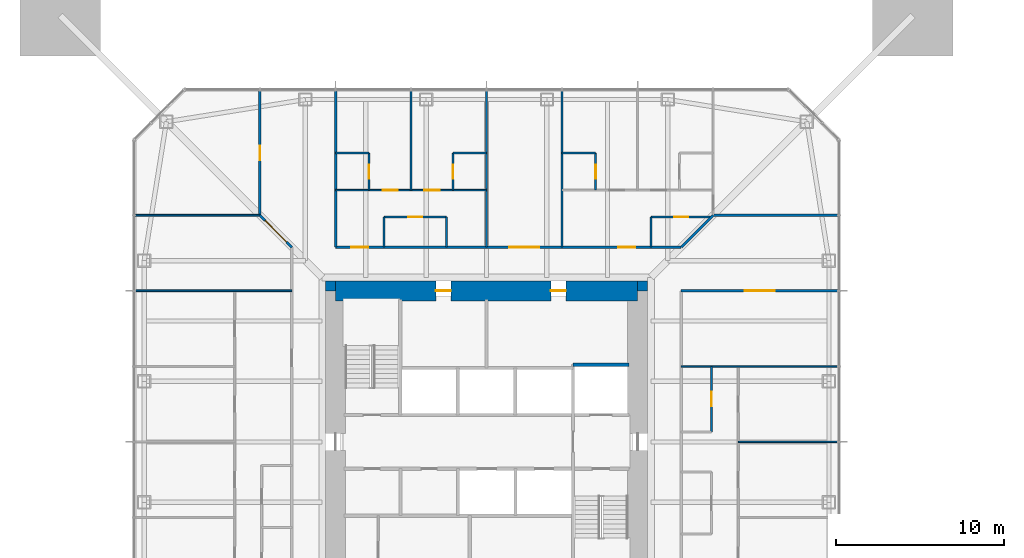
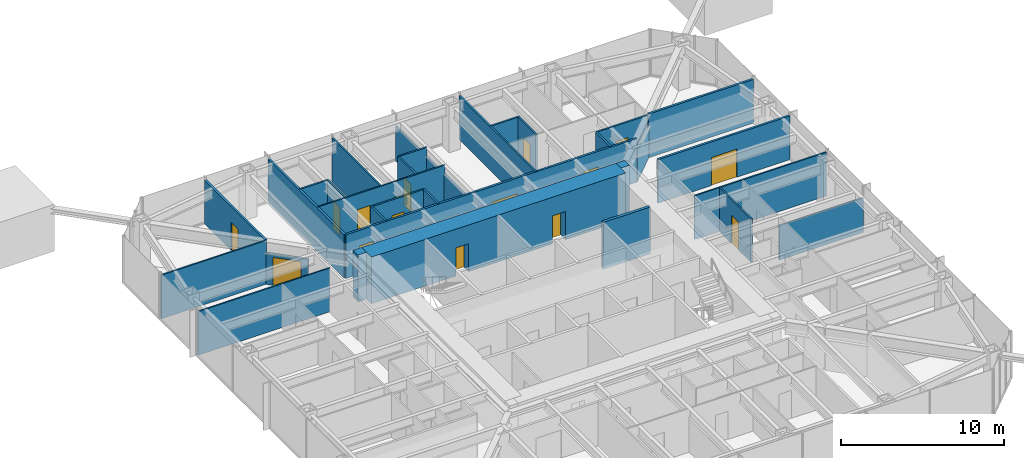
# One storey, part 15 of 25: 31 walls, 16 doors, 16 openings.
"""IFC4 building model written with IfcOpenShell, lengths in metres."""

from ifc_helpers import new_model, si_unit, direction, frame, frame_2d, origin, place, context, subcontext, project, spatial, rectangle, extrude, material, layer, layer_set, type_object, element, fill, save


model = new_model("IFC4")

# Units and contexts
model_context = context("Model", 3, precision=1e-05, world=origin(), true_north=direction((0.0, 1.0)))
body_context = subcontext(model_context, "Body", "Model", "MODEL_VIEW")
ifc_project = project(units=[si_unit("LENGTHUNIT", "METRE"), si_unit("AREAUNIT", "SQUARE_METRE"), si_unit("VOLUMEUNIT", "CUBIC_METRE"), si_unit("PLANEANGLEUNIT", "RADIAN"), si_unit("MASSUNIT", "GRAM", prefix="KILO")], contexts=[model_context])

# Site, building, storey
site_placement = place(None, origin())
site = spatial("IfcSite", under=ifc_project, at=site_placement, CompositionType="ELEMENT")
building_placement = place(site_placement, origin())
building = spatial("IfcBuilding", under=site, at=building_placement, Name="Iwan Alto Co-Living Towers", CompositionType="ELEMENT")
storey_placement = place(building_placement, frame((0.0, 0.0, 112.0)))
storey = spatial("IfcBuildingStorey", under=building, at=storey_placement, Name="L30", CompositionType="ELEMENT", Elevation=112.0)

# Wall, opening, door
ifc_material_1 = material(Name="Gypsum board")
ifc_layer_1 = layer(ifc_material_1, 0.02490234375, Name="Board", Category="Finish")
ifc_material_2 = material(Name="Steel ASTM A1003 ST33H cold-formed studs", Category="steel")
ifc_layer_2 = layer(ifc_material_2, 0.10009765625, Name="Studs", Category="Framing")
ifc_layer_3 = layer(ifc_material_1, 0.02490234375, Name="Board", Category="Finish")
ifc_layer_set_1 = layer_set([ifc_layer_1, ifc_layer_2, ifc_layer_3], Name="CORRIDOR WALL 150")
wall_type_1 = type_object("IfcWallType", Name="CORRIDOR WALL 150", PredefinedType="PARTITIONING", material=ifc_layer_set_1)
wall_1_placement = place(storey_placement, frame((11.60009765625, 9.0, 0.0), z_axis=(0.0, 0.0, 1.0), x_axis=(1.0, 0.0, 0.0)))
wall_1 = element("IfcWall", 1, at=wall_1_placement, inside=storey, type_object=wall_type_1, Name="Partition L30", PredefinedType="PARTITIONING", context=body_context, shape_type="SweptSolid", body=[
    extrude(rectangle(XDim=9.33984375, YDim=0.14990234375, at=frame_2d((4.669921875, 0.0))), origin(), (0.0, 0.0, 1.0), 3.27001953125),
])
opening_1_placement = place(wall_1_placement, frame((3.77001953125, 0.0, 0.0)))
opening_1 = element("IfcOpeningElement", 2, at=opening_1_placement, cuts=wall_1, Name="Opening D9", PredefinedType="OPENING", context=body_context, shape_type="SweptSolid", body=[
    extrude(rectangle(XDim=1.800048828125, YDim=2.10009765625, at=frame_2d((0.89990234375, 1.050048828125))), frame((0.0, 0.0849609375, 0.0), z_axis=(0.0, -1.0, 0.0), x_axis=(1.0, 0.0, 0.0)), (0.0, 0.0, 1.0), 0.169921875),
])
ifc_material_3 = material(Name="Steel frame with timber leaf", Category="steel")
door_type_1 = type_object("IfcDoorType", Name="LOUNGE DOOR FD30S 1800X2100", OperationType="DOUBLE_DOOR_SINGLE_SWING", PredefinedType="DOOR", material=ifc_material_3)
door_1_placement = place(opening_1_placement, frame((1.800048828125, 0.0, 0.0), z_axis=(0.0, 0.0, 1.0), x_axis=(-1.0, 0.0, 0.0)))
door_1 = element("IfcDoor", 3, at=door_1_placement, inside=storey, type_object=door_type_1, Name="Games room door L30", OperationType="DOUBLE_DOOR_SINGLE_SWING", OverallHeight=2.10009765625, OverallWidth=1.800048828125, PredefinedType="DOOR", context=body_context, shape_type="SweptSolid", body=[
    extrude(rectangle(XDim=1.800048828125, YDim=2.10009765625, at=frame_2d((0.89990234375, 1.050048828125))), frame((0.0, 0.02490234375, 0.0), z_axis=(0.0, -1.0, 0.0), x_axis=(1.0, 0.0, 0.0)), (0.0, 0.0, 1.0), 0.050048828125),
])
fill(opening_1, door_1)

# Wall, openings, doors
wall_2_placement = place(storey_placement, frame((-9.0, 11.60009765625, 0.0), z_axis=(0.0, 0.0, 1.0), x_axis=(1.0, 0.0, 0.0)))
wall_2 = element("IfcWall", 4, at=wall_2_placement, inside=storey, type_object=wall_type_1, Name="Partition L30", PredefinedType="PARTITIONING", context=body_context, shape_type="SweptSolid", body=[
    extrude(rectangle(XDim=20.60009765625, YDim=0.14990234375, at=frame_2d((10.300048828125, 0.0))), origin(), (0.0, 0.0, 1.0), 3.27001953125),
])
opening_2_placement = place(wall_2_placement, frame((16.85009765625, 0.0, 0.0)))
opening_2 = element("IfcOpeningElement", 5, at=opening_2_placement, cuts=wall_2, Name="Opening D3", PredefinedType="OPENING", context=body_context, shape_type="SweptSolid", body=[
    extrude(rectangle(XDim=1.0, YDim=2.10009765625, at=frame_2d((0.5, 1.050048828125))), frame((0.0, 0.0849609375, 0.0), z_axis=(0.0, -1.0, 0.0), x_axis=(1.0, 0.0, 0.0)), (0.0, 0.0, 1.0), 0.169921875),
])
opening_3_placement = place(wall_2_placement, frame((10.35009765625, 0.0, 0.0)))
opening_3 = element("IfcOpeningElement", 6, at=opening_3_placement, cuts=wall_2, Name="Opening D9", PredefinedType="OPENING", context=body_context, shape_type="SweptSolid", body=[
    extrude(rectangle(XDim=1.800048828125, YDim=2.10009765625, at=frame_2d((0.89990234375, 1.050048828125))), frame((0.0, 0.0849609375, 0.0), z_axis=(0.0, -1.0, 0.0), x_axis=(1.0, 0.0, 0.0)), (0.0, 0.0, 1.0), 0.169921875),
])
opening_4_placement = place(wall_2_placement, frame((0.949951171875, 0.0, 0.0)))
opening_4 = element("IfcOpeningElement", 7, at=opening_4_placement, cuts=wall_2, Name="Opening D3", PredefinedType="OPENING", context=body_context, shape_type="SweptSolid", body=[
    extrude(rectangle(XDim=1.0, YDim=2.10009765625, at=frame_2d((0.5, 1.050048828125))), frame((0.0, 0.0849609375, 0.0), z_axis=(0.0, -1.0, 0.0), x_axis=(1.0, 0.0, 0.0)), (0.0, 0.0, 1.0), 0.169921875),
])
ifc_material_4 = material(Name="Steel frame with timber leaf", Category="steel")
door_type_2 = type_object("IfcDoorType", Name="FLAT ENTRANCE DOOR FD30S 1000X2100", OperationType="SINGLE_SWING_LEFT", PredefinedType="DOOR", material=ifc_material_4)
door_2_placement = place(opening_2_placement, origin())
door_2 = element("IfcDoor", 8, at=door_2_placement, inside=storey, type_object=door_type_2, Name="Cluster lounge door L30", OperationType="SINGLE_SWING_RIGHT", OverallHeight=2.10009765625, OverallWidth=1.0, PredefinedType="DOOR", context=body_context, shape_type="SweptSolid", body=[
    extrude(rectangle(XDim=1.0, YDim=2.10009765625, at=frame_2d((0.5, 1.050048828125))), frame((0.0, 0.02490234375, 0.0), z_axis=(0.0, -1.0, 0.0), x_axis=(1.0, 0.0, 0.0)), (0.0, 0.0, 1.0), 0.050048828125),
])
fill(opening_2, door_2)
door_3_placement = place(opening_4_placement, origin())
door_3 = element("IfcDoor", 9, at=door_3_placement, inside=storey, type_object=door_type_2, Name="Cluster lounge and shared kitchen door L30", OperationType="SINGLE_SWING_LEFT", OverallHeight=2.10009765625, OverallWidth=1.0, PredefinedType="DOOR", context=body_context, shape_type="SweptSolid", body=[
    extrude(rectangle(XDim=1.0, YDim=2.10009765625, at=frame_2d((0.5, 1.050048828125))), frame((0.0, 0.02490234375, 0.0), z_axis=(0.0, -1.0, 0.0), x_axis=(1.0, 0.0, 0.0)), (0.0, 0.0, 1.0), 0.050048828125),
])
fill(opening_4, door_3)
door_4_placement = place(opening_3_placement, origin())
door_4 = element("IfcDoor", 10, at=door_4_placement, inside=storey, type_object=door_type_1, Name="Reading room door L30", OperationType="DOUBLE_DOOR_SINGLE_SWING", OverallHeight=2.10009765625, OverallWidth=1.800048828125, PredefinedType="DOOR", context=body_context, shape_type="SweptSolid", body=[
    extrude(rectangle(XDim=1.800048828125, YDim=2.10009765625, at=frame_2d((0.89990234375, 1.050048828125))), frame((0.0, 0.02490234375, 0.0), z_axis=(0.0, -1.0, 0.0), x_axis=(1.0, 0.0, 0.0)), (0.0, 0.0, 1.0), 0.050048828125),
])
fill(opening_3, door_4)

# Walls
wall_3_placement = place(storey_placement, frame((13.5, 13.5, 0.0), z_axis=(0.0, 0.0, 1.0), x_axis=(1.0, 0.0, 0.0)))
element("IfcWall", 11, at=wall_3_placement, inside=storey, type_object=wall_type_1, Name="Partition L30", PredefinedType="PARTITIONING", context=body_context, shape_type="SweptSolid", body=[
    extrude(rectangle(XDim=7.43994140625, YDim=0.14990234375, at=frame_2d((3.719970703125, 0.0))), origin(), (0.0, 0.0, 1.0), 3.27001953125),
])
wall_4_placement = place(storey_placement, frame((11.60009765625, 11.60009765625, 0.0), z_axis=(0.0, 0.0, 1.0), x_axis=(0.707106781187, 0.707106781187, 0.0)))
element("IfcWall", 12, at=wall_4_placement, inside=storey, type_object=wall_type_1, Name="Partition L30", PredefinedType="PARTITIONING", context=body_context, shape_type="SweptSolid", body=[
    extrude(rectangle(XDim=2.686767578125, YDim=0.14990234375, at=frame_2d((1.34326171875, 0.0))), origin(), (0.0, 0.0, 1.0), 2.343017578125),
])
wall_5_placement = place(storey_placement, frame((-9.0, 11.60009765625, 0.0), z_axis=(0.0, 0.0, 1.0), x_axis=(0.0, 1.0, 0.0)))
element("IfcWall", 13, at=wall_5_placement, inside=storey, type_object=wall_type_1, Name="Partition L30", PredefinedType="PARTITIONING", context=body_context, shape_type="SweptSolid", body=[
    extrude(rectangle(XDim=9.33984375, YDim=0.14990234375, at=frame_2d((4.669921875, 0.0))), origin(), (0.0, 0.0, 1.0), 3.27001953125),
])

# Wall, opening, door
wall_6_placement = place(storey_placement, frame((-13.5, 13.5, 0.0), z_axis=(0.0, 0.0, 1.0), x_axis=(0.0, 1.0, 0.0)))
wall_6 = element("IfcWall", 14, at=wall_6_placement, inside=storey, type_object=wall_type_1, Name="Partition L30", PredefinedType="PARTITIONING", context=body_context, shape_type="SweptSolid", body=[
    extrude(rectangle(XDim=7.43994140625, YDim=0.14990234375, at=frame_2d((3.719970703125, 0.0))), origin(), (0.0, 0.0, 1.0), 3.27001953125),
])
opening_5_placement = place(wall_6_placement, frame((3.294921875, 0.0, 0.0)))
opening_5 = element("IfcOpeningElement", 15, at=opening_5_placement, cuts=wall_6, Name="Opening D2", PredefinedType="OPENING", context=body_context, shape_type="SweptSolid", body=[
    extrude(rectangle(XDim=0.85009765625, YDim=2.10009765625, at=frame_2d((0.425048828125, 1.050048828125))), frame((0.0, 0.0849609375, 0.0), z_axis=(0.0, -1.0, 0.0), x_axis=(1.0, 0.0, 0.0)), (0.0, 0.0, 1.0), 0.169921875),
])
ifc_material_5 = material(Name="Timber leaf in steel frame", Category="steel")
door_type_3 = type_object("IfcDoorType", Name="ROOM DOOR 850X2100", OperationType="SINGLE_SWING_LEFT", PredefinedType="DOOR", material=ifc_material_5)
door_5_placement = place(opening_5_placement, origin())
door_5 = element("IfcDoor", 16, at=door_5_placement, inside=storey, type_object=door_type_3, Name="Shared kitchen and lounge door L30", OperationType="SINGLE_SWING_LEFT", OverallHeight=2.10009765625, OverallWidth=0.85009765625, PredefinedType="DOOR", context=body_context, shape_type="SweptSolid", body=[
    extrude(rectangle(XDim=0.85009765625, YDim=2.10009765625, at=frame_2d((0.425048828125, 1.050048828125))), frame((0.0, 0.02490234375, 0.0), z_axis=(0.0, -1.0, 0.0), x_axis=(1.0, 0.0, 0.0)), (0.0, 0.0, 1.0), 0.050048828125),
])
fill(opening_5, door_5)

wall_7_placement = place(storey_placement, frame((-11.60009765625, 11.60009765625, 0.0), z_axis=(0.0, 0.0, 1.0), x_axis=(-0.707106781187, 0.707106781187, 0.0)))
wall_7 = element("IfcWall", 17, at=wall_7_placement, inside=storey, type_object=wall_type_1, Name="Partition L30", PredefinedType="PARTITIONING", context=body_context, shape_type="SweptSolid", body=[
    extrude(rectangle(XDim=2.686767578125, YDim=0.14990234375, at=frame_2d((1.34326171875, 0.0))), origin(), (0.0, 0.0, 1.0), 2.343017578125),
])
opening_6_placement = place(wall_7_placement, frame((0.444091796875, 0.0, 0.0)))
opening_6 = element("IfcOpeningElement", 18, at=opening_6_placement, cuts=wall_7, Name="Opening D9", PredefinedType="OPENING", context=body_context, shape_type="SweptSolid", body=[
    extrude(rectangle(XDim=1.800048828125, YDim=2.10009765625, at=frame_2d((0.89990234375, 1.050048828125))), frame((0.0, 0.0849609375, 0.0), z_axis=(0.0, -1.0, 0.0), x_axis=(1.0, 0.0, 0.0)), (0.0, 0.0, 1.0), 0.169921875),
])
door_6_placement = place(opening_6_placement, origin())
door_6 = element("IfcDoor", 19, at=door_6_placement, inside=storey, type_object=door_type_1, Name="Music practice room door L30", OperationType="DOUBLE_DOOR_SINGLE_SWING", OverallHeight=2.10009765625, OverallWidth=1.800048828125, PredefinedType="DOOR", context=body_context, shape_type="SweptSolid", body=[
    extrude(rectangle(XDim=1.800048828125, YDim=2.10009765625, at=frame_2d((0.89990234375, 1.050048828125))), frame((0.0, 0.02490234375, 0.0), z_axis=(0.0, -1.0, 0.0), x_axis=(1.0, 0.0, 0.0)), (0.0, 0.0, 1.0), 0.050048828125),
])
fill(opening_6, door_6)

# Walls
ifc_layer_4 = layer(ifc_material_1, 0.012451171875, Name="Board", Category="Finish")
ifc_layer_5 = layer(ifc_material_2, 0.074951171875, Name="Studs", Category="Framing")
ifc_layer_6 = layer(ifc_material_1, 0.012451171875, Name="Board", Category="Finish")
ifc_layer_set_2 = layer_set([ifc_layer_4, ifc_layer_5, ifc_layer_6], Name="PARTITION 100")
wall_type_2 = type_object("IfcWallType", Name="PARTITION 100", PredefinedType="PARTITIONING", material=ifc_layer_set_2)
wall_8_placement = place(storey_placement, frame((15.0, 0.0, 0.0), z_axis=(0.0, 0.0, 1.0), x_axis=(1.0, 0.0, 0.0)))
element("IfcWall", 20, at=wall_8_placement, inside=storey, type_object=wall_type_2, Name="Partition L30", PredefinedType="PARTITIONING", context=body_context, shape_type="SweptSolid", body=[
    extrude(rectangle(XDim=5.93994140625, YDim=0.10009765625, at=frame_2d((2.969970703125, 0.0))), origin(), (0.0, 0.0, 1.0), 2.586669921875),
])
for number, where, z_axis, x_axis, name in (
    (21, (11.60009765625, 4.5, 0.0), (0.0, 0.0, 1.0), (1.0, 0.0, 0.0), "Partition L30"),
    (22, (-20.93994140625, 9.0, 0.0), (0.0, 0.0, 1.0), (1.0, 0.0, 0.0), "Partition L30"),
):
    element("IfcWall", number, at=place(storey_placement, frame(where, z_axis=z_axis, x_axis=x_axis)), inside=storey, type_object=wall_type_2, Name=name, PredefinedType="PARTITIONING", context=body_context, shape_type="SweptSolid", body=[
        extrude(rectangle(XDim=9.33984375, YDim=0.10009765625, at=frame_2d((4.669921875, 0.0))), origin(), (0.0, 0.0, 1.0), 3.27001953125),
    ])
wall_9_placement = place(storey_placement, frame((-20.93994140625, 13.5, 0.0), z_axis=(0.0, 0.0, 1.0), x_axis=(1.0, 0.0, 0.0)))
element("IfcWall", 23, at=wall_9_placement, inside=storey, type_object=wall_type_2, Name="Partition L30", PredefinedType="PARTITIONING", context=body_context, shape_type="SweptSolid", body=[
    extrude(rectangle(XDim=7.43994140625, YDim=0.10009765625, at=frame_2d((3.719970703125, 0.0))), origin(), (0.0, 0.0, 1.0), 3.27001953125),
])

# Wall, openings, doors
wall_10_placement = place(storey_placement, frame((-9.0, 15.0, 0.0), z_axis=(0.0, 0.0, 1.0), x_axis=(1.0, 0.0, 0.0)))
wall_10 = element("IfcWall", 24, at=wall_10_placement, inside=storey, type_object=wall_type_2, Name="Partition L30", PredefinedType="PARTITIONING", context=body_context, shape_type="SweptSolid", body=[
    extrude(rectangle(XDim=9.0, YDim=0.10009765625, at=frame_2d((4.5, 0.0))), origin(), (0.0, 0.0, 1.0), 3.27001953125),
])
opening_7_placement = place(wall_10_placement, frame((5.300048828125, 0.0, 0.0)))
opening_7 = element("IfcOpeningElement", 25, at=opening_7_placement, cuts=wall_10, Name="Opening D1", PredefinedType="OPENING", context=body_context, shape_type="SweptSolid", body=[
    extrude(rectangle(XDim=0.89990234375, YDim=2.10009765625, at=frame_2d((0.449951171875, 1.050048828125))), frame((0.0, 0.06005859375, 0.0), z_axis=(0.0, -1.0, 0.0), x_axis=(1.0, 0.0, 0.0)), (0.0, 0.0, 1.0), 0.1201171875),
])
opening_8_placement = place(wall_10_placement, frame((2.800048828125, 0.0, 0.0)))
opening_8 = element("IfcOpeningElement", 26, at=opening_8_placement, cuts=wall_10, Name="Opening D1", PredefinedType="OPENING", context=body_context, shape_type="SweptSolid", body=[
    extrude(rectangle(XDim=0.89990234375, YDim=2.10009765625, at=frame_2d((0.449951171875, 1.050048828125))), frame((0.0, 0.06005859375, 0.0), z_axis=(0.0, -1.0, 0.0), x_axis=(1.0, 0.0, 0.0)), (0.0, 0.0, 1.0), 0.1201171875),
])
ifc_material_6 = material(Name="Timber leaf in steel frame", Category="steel")
door_type_4 = type_object("IfcDoorType", Name="BEDROOM DOOR 900X2100", OperationType="SINGLE_SWING_LEFT", PredefinedType="DOOR", material=ifc_material_6)
door_7_placement = place(opening_7_placement, frame((0.89990234375, 0.0, 0.0), z_axis=(0.0, 0.0, 1.0), x_axis=(-1.0, 0.0, 0.0)))
door_7 = element("IfcDoor", 27, at=door_7_placement, inside=storey, type_object=door_type_4, Name="Study bedroom door L30", OperationType="SINGLE_SWING_LEFT", OverallHeight=2.10009765625, OverallWidth=0.89990234375, PredefinedType="DOOR", context=body_context, shape_type="SweptSolid", body=[
    extrude(rectangle(XDim=0.89990234375, YDim=2.10009765625, at=frame_2d((0.449951171875, 1.050048828125))), frame((0.0, 0.02490234375, 0.0), z_axis=(0.0, -1.0, 0.0), x_axis=(1.0, 0.0, 0.0)), (0.0, 0.0, 1.0), 0.050048828125),
])
fill(opening_7, door_7)
door_8_placement = place(opening_8_placement, frame((0.89990234375, 0.0, 0.0), z_axis=(0.0, 0.0, 1.0), x_axis=(-1.0, 0.0, 0.0)))
door_8 = element("IfcDoor", 28, at=door_8_placement, inside=storey, type_object=door_type_4, Name="Study bedroom door L30", OperationType="SINGLE_SWING_RIGHT", OverallHeight=2.10009765625, OverallWidth=0.89990234375, PredefinedType="DOOR", context=body_context, shape_type="SweptSolid", body=[
    extrude(rectangle(XDim=0.89990234375, YDim=2.10009765625, at=frame_2d((0.449951171875, 1.050048828125))), frame((0.0, 0.02490234375, 0.0), z_axis=(0.0, -1.0, 0.0), x_axis=(1.0, 0.0, 0.0)), (0.0, 0.0, 1.0), 0.050048828125),
])
fill(opening_8, door_8)

# Walls
wall_11_placement = place(storey_placement, frame((-4.5, 15.0, 0.0), z_axis=(0.0, 0.0, 1.0), x_axis=(0.0, 1.0, 0.0)))
element("IfcWall", 29, at=wall_11_placement, inside=storey, type_object=wall_type_2, Name="Partition L30", PredefinedType="PARTITIONING", context=body_context, shape_type="SweptSolid", body=[
    extrude(rectangle(XDim=5.93994140625, YDim=0.10009765625, at=frame_2d((2.969970703125, 0.0))), origin(), (0.0, 0.0, 1.0), 3.27001953125),
])
ifc_material_7 = material(Name="Concrete f'c 70 MPa", Category="concrete")
ifc_layer_7 = layer(ifc_material_7, 0.199951171875)
ifc_layer_set_3 = layer_set([ifc_layer_7], Name="SHAFT WALL 200")
wall_type_3 = type_object("IfcWallType", Name="SHAFT WALL 200", PredefinedType="SOLIDWALL", material=ifc_layer_set_3)
wall_12_placement = place(storey_placement, frame((5.14990234375, 4.60009765625, 0.0), z_axis=(0.0, 0.0, 1.0), x_axis=(1.0, 0.0, 0.0)))
element("IfcWall", 30, at=wall_12_placement, inside=storey, type_object=wall_type_3, Name="Shaft wall L30", PredefinedType="SOLIDWALL", context=body_context, shape_type="SweptSolid", body=[
    extrude(rectangle(XDim=3.340087890625, YDim=0.199951171875, at=frame_2d((1.669921875, 0.0))), origin(), (0.0, 0.0, 1.0), 3.5),
])
ifc_material_8 = material(Name="Concrete f'c 70 MPa", Category="concrete")
ifc_layer_8 = layer(ifc_material_8, 0.60009765625)
ifc_layer_set_4 = layer_set([ifc_layer_8], Name="T1 CORE CORNER FILL 600")
wall_type_4 = type_object("IfcWallType", Name="T1 CORE CORNER FILL 600", PredefinedType="SOLIDWALL", material=ifc_layer_set_4)
for number, where, z_axis, x_axis, name in (
    (31, (9.0, 9.300048828125, 0.0), (0.0, 0.0, 1.0), (1.0, 0.0, 0.0), "T1 core corner NE L30"),
    (32, (-9.60009765625, 9.300048828125, 0.0), (0.0, 0.0, 1.0), (1.0, 0.0, 0.0), "T1 core corner NW L30"),
):
    element("IfcWall", number, at=place(storey_placement, frame(where, z_axis=z_axis, x_axis=x_axis)), inside=storey, type_object=wall_type_4, Name=name, PredefinedType="SOLIDWALL", context=body_context, shape_type="SweptSolid", body=[
        extrude(rectangle(XDim=0.60009765625, YDim=0.60009765625, at=frame_2d((0.300048828125, 0.0))), origin(), (0.0, 0.0, 1.0), 3.5),
    ])

# Wall, openings, doors
ifc_material_9 = material(Name="Concrete f'c 70 MPa", Category="concrete")
ifc_layer_9 = layer(ifc_material_9, 1.199951171875)
ifc_layer_set_5 = layer_set([ifc_layer_9], Name="T1 CORE WALL 1200")
wall_type_5 = type_object("IfcWallType", Name="T1 CORE WALL 1200", PredefinedType="SHEAR", material=ifc_layer_set_5)
wall_13_placement = place(storey_placement, frame((9.0, 9.0, 0.0), z_axis=(0.0, 0.0, 1.0), x_axis=(-1.0, 0.0, 0.0)))
wall_13 = element("IfcWall", 33, at=wall_13_placement, inside=storey, type_object=wall_type_5, Name="T1 core wall N L30", PredefinedType="SHEAR", context=body_context, shape_type="SweptSolid", body=[
    extrude(rectangle(XDim=18.0, YDim=1.199951171875, at=frame_2d((9.0, 0.0))), origin(), (0.0, 0.0, 1.0), 3.5),
])
opening_9_placement = place(wall_13_placement, frame((11.125, 0.0, 0.0)))
opening_9 = element("IfcOpeningElement", 34, at=opening_9_placement, cuts=wall_13, Name="Opening D8", PredefinedType="OPENING", context=body_context, shape_type="SweptSolid", body=[
    extrude(rectangle(XDim=0.89990234375, YDim=2.10009765625, at=frame_2d((0.449951171875, 1.050048828125))), frame((0.0, 0.60986328125, 0.0), z_axis=(0.0, -1.0, 0.0), x_axis=(1.0, 0.0, 0.0)), (0.0, 0.0, 1.0), 1.219970703125),
])
opening_10_placement = place(wall_13_placement, frame((4.27490234375, 0.0, 0.0)))
opening_10 = element("IfcOpeningElement", 35, at=opening_10_placement, cuts=wall_13, Name="Opening D8", PredefinedType="OPENING", context=body_context, shape_type="SweptSolid", body=[
    extrude(rectangle(XDim=0.89990234375, YDim=2.10009765625, at=frame_2d((0.449951171875, 1.050048828125))), frame((0.0, 0.60986328125, 0.0), z_axis=(0.0, -1.0, 0.0), x_axis=(1.0, 0.0, 0.0)), (0.0, 0.0, 1.0), 1.219970703125),
])
ifc_material_10 = material(Name="Steel frame with timber leaf", Category="steel")
door_type_5 = type_object("IfcDoorType", Name="RISER DOOR FD120 900X2100", OperationType="SINGLE_SWING_LEFT", PredefinedType="DOOR", material=ifc_material_10)
door_9_placement = place(opening_9_placement, origin())
door_9 = element("IfcDoor", 36, at=door_9_placement, inside=storey, type_object=door_type_5, Name="Electrical riser core door L30", OperationType="SINGLE_SWING_RIGHT", OverallHeight=2.10009765625, OverallWidth=0.89990234375, PredefinedType="DOOR", context=body_context, shape_type="SweptSolid", body=[
    extrude(rectangle(XDim=0.89990234375, YDim=2.10009765625, at=frame_2d((0.449951171875, 1.050048828125))), frame((0.0, 0.02490234375, 0.0), z_axis=(0.0, -1.0, 0.0), x_axis=(1.0, 0.0, 0.0)), (0.0, 0.0, 1.0), 0.050048828125),
])
fill(opening_9, door_9)
door_10_placement = place(opening_10_placement, origin())
door_10 = element("IfcDoor", 37, at=door_10_placement, inside=storey, type_object=door_type_5, Name="Water and drainage riser core door L30", OperationType="SINGLE_SWING_RIGHT", OverallHeight=2.10009765625, OverallWidth=0.89990234375, PredefinedType="DOOR", context=body_context, shape_type="SweptSolid", body=[
    extrude(rectangle(XDim=0.89990234375, YDim=2.10009765625, at=frame_2d((0.449951171875, 1.050048828125))), frame((0.0, 0.02490234375, 0.0), z_axis=(0.0, -1.0, 0.0), x_axis=(1.0, 0.0, 0.0)), (0.0, 0.0, 1.0), 0.050048828125),
])
fill(opening_10, door_10)

# Wall, opening, door
ifc_material_11 = material(Name="Cement board")
ifc_layer_10 = layer(ifc_material_11, 0.012451171875, Name="Board", Category="Finish")
ifc_layer_11 = layer(ifc_material_2, 0.094970703125, Name="Studs", Category="Framing")
ifc_layer_12 = layer(ifc_material_11, 0.012451171875, Name="Board", Category="Finish")
ifc_layer_set_6 = layer_set([ifc_layer_10, ifc_layer_11, ifc_layer_12], Name="WET AREA PARTITION 120")
wall_type_6 = type_object("IfcWallType", Name="WET AREA PARTITION 120", PredefinedType="PARTITIONING", material=ifc_layer_set_6)
wall_14_placement = place(storey_placement, frame((-6.10009765625, 13.39990234375, 0.0), z_axis=(0.0, 0.0, 1.0), x_axis=(1.0, 0.0, 0.0)))
wall_14 = element("IfcWall", 38, at=wall_14_placement, inside=storey, type_object=wall_type_6, Name="Partition L30", PredefinedType="PARTITIONING", context=body_context, shape_type="SweptSolid", body=[
    extrude(rectangle(XDim=3.7001953125, YDim=0.1201171875, at=frame_2d((1.85009765625, 0.0))), origin(), (0.0, 0.0, 1.0), 3.27001953125),
])
opening_11_placement = place(wall_14_placement, frame((1.425048828125, 0.0, 0.0)))
opening_11 = element("IfcOpeningElement", 39, at=opening_11_placement, cuts=wall_14, Name="Opening D2", PredefinedType="OPENING", context=body_context, shape_type="SweptSolid", body=[
    extrude(rectangle(XDim=0.85009765625, YDim=2.10009765625, at=frame_2d((0.425048828125, 1.050048828125))), frame((0.0, 0.070068359375, 0.0), z_axis=(0.0, -1.0, 0.0), x_axis=(1.0, 0.0, 0.0)), (0.0, 0.0, 1.0), 0.14013671875),
])
door_11_placement = place(opening_11_placement, origin())
door_11 = element("IfcDoor", 40, at=door_11_placement, inside=storey, type_object=door_type_3, Name="Accessible bathroom door L30", OperationType="SINGLE_SWING_RIGHT", OverallHeight=2.10009765625, OverallWidth=0.85009765625, PredefinedType="DOOR", context=body_context, shape_type="SweptSolid", body=[
    extrude(rectangle(XDim=0.85009765625, YDim=2.10009765625, at=frame_2d((0.425048828125, 1.050048828125))), frame((0.0, 0.02490234375, 0.0), z_axis=(0.0, -1.0, 0.0), x_axis=(1.0, 0.0, 0.0)), (0.0, 0.0, 1.0), 0.050048828125),
])
fill(opening_11, door_11)

wall_15_placement = place(storey_placement, frame((9.800048828125, 13.39990234375, 0.0), z_axis=(0.0, 0.0, 1.0), x_axis=(1.0, 0.0, 0.0)))
wall_15 = element("IfcWall", 41, at=wall_15_placement, inside=storey, type_object=wall_type_6, Name="Partition L30", PredefinedType="PARTITIONING", context=body_context, shape_type="SweptSolid", body=[
    extrude(rectangle(XDim=3.599853515625, YDim=0.1201171875, at=frame_2d((1.7998046875, 0.0))), origin(), (0.0, 0.0, 1.0), 3.27001953125),
])
opening_12_placement = place(wall_15_placement, frame((1.375, 0.0, 0.0)))
opening_12 = element("IfcOpeningElement", 42, at=opening_12_placement, cuts=wall_15, Name="Opening D2", PredefinedType="OPENING", context=body_context, shape_type="SweptSolid", body=[
    extrude(rectangle(XDim=0.85009765625, YDim=2.10009765625, at=frame_2d((0.425048828125, 1.050048828125))), frame((0.0, 0.070068359375, 0.0), z_axis=(0.0, -1.0, 0.0), x_axis=(1.0, 0.0, 0.0)), (0.0, 0.0, 1.0), 0.14013671875),
])
door_12_placement = place(opening_12_placement, origin())
door_12 = element("IfcDoor", 43, at=door_12_placement, inside=storey, type_object=door_type_3, Name="Bathroom door L30", OperationType="SINGLE_SWING_RIGHT", OverallHeight=2.10009765625, OverallWidth=0.85009765625, PredefinedType="DOOR", context=body_context, shape_type="SweptSolid", body=[
    extrude(rectangle(XDim=0.85009765625, YDim=2.10009765625, at=frame_2d((0.425048828125, 1.050048828125))), frame((0.0, 0.02490234375, 0.0), z_axis=(0.0, -1.0, 0.0), x_axis=(1.0, 0.0, 0.0)), (0.0, 0.0, 1.0), 0.050048828125),
])
fill(opening_12, door_12)

# Walls
for number, where, z_axis, x_axis, name in (
    (44, (-9.0, 17.199951171875, 0.0), (0.0, 0.0, 1.0), (1.0, 0.0, 0.0), "Partition L30"),
    (45, (-2.0, 17.199951171875, 0.0), (0.0, 0.0, 1.0), (1.0, 0.0, 0.0), "Partition L30"),
    (46, (4.5, 17.199951171875, 0.0), (0.0, 0.0, 1.0), (1.0, 0.0, 0.0), "Partition L30"),
):
    element("IfcWall", number, at=place(storey_placement, frame(where, z_axis=z_axis, x_axis=x_axis)), inside=storey, type_object=wall_type_6, Name=name, PredefinedType="PARTITIONING", context=body_context, shape_type="SweptSolid", body=[
        extrude(rectangle(XDim=2.0, YDim=0.1201171875, at=frame_2d((1.0, 0.0))), origin(), (0.0, 0.0, 1.0), 3.27001953125),
    ])

# Wall, opening, door
wall_16_placement = place(storey_placement, frame((13.39990234375, 0.60009765625, 0.0), z_axis=(0.0, 0.0, 1.0), x_axis=(0.0, 1.0, 0.0)))
wall_16 = element("IfcWall", 47, at=wall_16_placement, inside=storey, type_object=wall_type_6, Name="Partition L30", PredefinedType="PARTITIONING", context=body_context, shape_type="SweptSolid", body=[
    extrude(rectangle(XDim=3.89990234375, YDim=0.1201171875, at=frame_2d((1.949951171875, 0.0))), origin(), (0.0, 0.0, 1.0), 3.27001953125),
])
opening_13_placement = place(wall_16_placement, frame((1.52490234375, 0.0, 0.0)))
opening_13 = element("IfcOpeningElement", 48, at=opening_13_placement, cuts=wall_16, Name="Opening D2", PredefinedType="OPENING", context=body_context, shape_type="SweptSolid", body=[
    extrude(rectangle(XDim=0.85009765625, YDim=2.10009765625, at=frame_2d((0.425048828125, 1.050048828125))), frame((0.0, 0.070068359375, 0.0), z_axis=(0.0, -1.0, 0.0), x_axis=(1.0, 0.0, 0.0)), (0.0, 0.0, 1.0), 0.14013671875),
])
door_13_placement = place(opening_13_placement, frame((0.85009765625, 0.0, 0.0), z_axis=(0.0, 0.0, 1.0), x_axis=(-1.0, 0.0, 0.0)))
door_13 = element("IfcDoor", 49, at=door_13_placement, inside=storey, type_object=door_type_3, Name="Laundry door L30", OperationType="SINGLE_SWING_LEFT", OverallHeight=2.10009765625, OverallWidth=0.85009765625, PredefinedType="DOOR", context=body_context, shape_type="SweptSolid", body=[
    extrude(rectangle(XDim=0.85009765625, YDim=2.10009765625, at=frame_2d((0.425048828125, 1.050048828125))), frame((0.0, 0.02490234375, 0.0), z_axis=(0.0, -1.0, 0.0), x_axis=(1.0, 0.0, 0.0)), (0.0, 0.0, 1.0), 0.050048828125),
])
fill(opening_13, door_13)

# Wall
wall_17_placement = place(storey_placement, frame((9.800048828125, 11.60009765625, 0.0), z_axis=(0.0, 0.0, 1.0), x_axis=(0.0, 1.0, 0.0)))
element("IfcWall", 50, at=wall_17_placement, inside=storey, type_object=wall_type_6, Name="Partition L30", PredefinedType="PARTITIONING", context=body_context, shape_type="SweptSolid", body=[
    extrude(rectangle(XDim=1.7998046875, YDim=0.1201171875, at=frame_2d((0.89990234375, 0.0))), origin(), (0.0, 0.0, 1.0), 3.27001953125),
])

# Wall, opening, door
wall_18_placement = place(storey_placement, frame((6.5, 15.0, 0.0), z_axis=(0.0, 0.0, 1.0), x_axis=(0.0, 1.0, 0.0)))
wall_18 = element("IfcWall", 51, at=wall_18_placement, inside=storey, type_object=wall_type_6, Name="Partition L30", PredefinedType="PARTITIONING", context=body_context, shape_type="SweptSolid", body=[
    extrude(rectangle(XDim=2.199951171875, YDim=0.1201171875, at=frame_2d((1.10009765625, 0.0))), origin(), (0.0, 0.0, 1.0), 3.27001953125),
])
opening_14_placement = place(wall_18_placement, frame((0.675048828125, 0.0, 0.0)))
opening_14 = element("IfcOpeningElement", 52, at=opening_14_placement, cuts=wall_18, Name="Opening D2", PredefinedType="OPENING", context=body_context, shape_type="SweptSolid", body=[
    extrude(rectangle(XDim=0.85009765625, YDim=2.10009765625, at=frame_2d((0.425048828125, 1.050048828125))), frame((0.0, 0.070068359375, 0.0), z_axis=(0.0, -1.0, 0.0), x_axis=(1.0, 0.0, 0.0)), (0.0, 0.0, 1.0), 0.14013671875),
])
door_14_placement = place(opening_14_placement, frame((0.85009765625, 0.0, 0.0), z_axis=(0.0, 0.0, 1.0), x_axis=(-1.0, 0.0, 0.0)))
door_14 = element("IfcDoor", 53, at=door_14_placement, inside=storey, type_object=door_type_3, Name="En-suite shower room door L30", OperationType="SINGLE_SWING_RIGHT", OverallHeight=2.10009765625, OverallWidth=0.85009765625, PredefinedType="DOOR", context=body_context, shape_type="SweptSolid", body=[
    extrude(rectangle(XDim=0.85009765625, YDim=2.10009765625, at=frame_2d((0.425048828125, 1.050048828125))), frame((0.0, 0.02490234375, 0.0), z_axis=(0.0, -1.0, 0.0), x_axis=(1.0, 0.0, 0.0)), (0.0, 0.0, 1.0), 0.050048828125),
])
fill(opening_14, door_14)

# Walls
wall_19_placement = place(storey_placement, frame((4.5, 11.60009765625, 0.0), z_axis=(0.0, 0.0, 1.0), x_axis=(0.0, 1.0, 0.0)))
element("IfcWall", 54, at=wall_19_placement, inside=storey, type_object=wall_type_6, Name="Partition L30", PredefinedType="PARTITIONING", context=body_context, shape_type="SweptSolid", body=[
    extrude(rectangle(XDim=9.33984375, YDim=0.1201171875, at=frame_2d((4.669921875, 0.0))), origin(), (0.0, 0.0, 1.0), 3.27001953125),
])
wall_20_placement = place(storey_placement, frame((0.0, 11.60009765625, 0.0), z_axis=(0.0, 0.0, 1.0), x_axis=(0.0, 1.0, 0.0)))
element("IfcWall", 55, at=wall_20_placement, inside=storey, type_object=wall_type_6, Name="Partition L30", PredefinedType="PARTITIONING", context=body_context, shape_type="SweptSolid", body=[
    extrude(rectangle(XDim=9.33984375, YDim=0.1201171875, at=frame_2d((4.669921875, 0.0))), origin(), (0.0, 0.0, 1.0), 2.586669921875),
])

# Wall, opening, door
wall_21_placement = place(storey_placement, frame((-2.0, 15.0, 0.0), z_axis=(0.0, 0.0, 1.0), x_axis=(0.0, 1.0, 0.0)))
wall_21 = element("IfcWall", 56, at=wall_21_placement, inside=storey, type_object=wall_type_6, Name="Partition L30", PredefinedType="PARTITIONING", context=body_context, shape_type="SweptSolid", body=[
    extrude(rectangle(XDim=2.199951171875, YDim=0.1201171875, at=frame_2d((1.10009765625, 0.0))), origin(), (0.0, 0.0, 1.0), 3.27001953125),
])
opening_15_placement = place(wall_21_placement, frame((0.675048828125, 0.0, 0.0)))
opening_15 = element("IfcOpeningElement", 57, at=opening_15_placement, cuts=wall_21, Name="Opening D2", PredefinedType="OPENING", context=body_context, shape_type="SweptSolid", body=[
    extrude(rectangle(XDim=0.85009765625, YDim=2.10009765625, at=frame_2d((0.425048828125, 1.050048828125))), frame((0.0, 0.070068359375, 0.0), z_axis=(0.0, -1.0, 0.0), x_axis=(1.0, 0.0, 0.0)), (0.0, 0.0, 1.0), 0.14013671875),
])
door_15_placement = place(opening_15_placement, origin())
door_15 = element("IfcDoor", 58, at=door_15_placement, inside=storey, type_object=door_type_3, Name="En-suite shower room door L30", OperationType="SINGLE_SWING_LEFT", OverallHeight=2.10009765625, OverallWidth=0.85009765625, PredefinedType="DOOR", context=body_context, shape_type="SweptSolid", body=[
    extrude(rectangle(XDim=0.85009765625, YDim=2.10009765625, at=frame_2d((0.425048828125, 1.050048828125))), frame((0.0, 0.02490234375, 0.0), z_axis=(0.0, -1.0, 0.0), x_axis=(1.0, 0.0, 0.0)), (0.0, 0.0, 1.0), 0.050048828125),
])
fill(opening_15, door_15)

# Walls
for number, where, z_axis, x_axis, name in (
    (59, (-2.39990234375, 11.60009765625, 0.0), (0.0, 0.0, 1.0), (0.0, 1.0, 0.0), "Partition L30"),
    (60, (-6.10009765625, 11.60009765625, 0.0), (0.0, 0.0, 1.0), (0.0, 1.0, 0.0), "Partition L30"),
):
    element("IfcWall", number, at=place(storey_placement, frame(where, z_axis=z_axis, x_axis=x_axis)), inside=storey, type_object=wall_type_6, Name=name, PredefinedType="PARTITIONING", context=body_context, shape_type="SweptSolid", body=[
        extrude(rectangle(XDim=1.7998046875, YDim=0.1201171875, at=frame_2d((0.89990234375, 0.0))), origin(), (0.0, 0.0, 1.0), 3.27001953125),
    ])

# Wall, opening, door
wall_22_placement = place(storey_placement, frame((-7.0, 15.0, 0.0), z_axis=(0.0, 0.0, 1.0), x_axis=(0.0, 1.0, 0.0)))
wall_22 = element("IfcWall", 61, at=wall_22_placement, inside=storey, type_object=wall_type_6, Name="Partition L30", PredefinedType="PARTITIONING", context=body_context, shape_type="SweptSolid", body=[
    extrude(rectangle(XDim=2.199951171875, YDim=0.1201171875, at=frame_2d((1.10009765625, 0.0))), origin(), (0.0, 0.0, 1.0), 3.27001953125),
])
opening_16_placement = place(wall_22_placement, frame((0.675048828125, 0.0, 0.0)))
opening_16 = element("IfcOpeningElement", 62, at=opening_16_placement, cuts=wall_22, Name="Opening D2", PredefinedType="OPENING", context=body_context, shape_type="SweptSolid", body=[
    extrude(rectangle(XDim=0.85009765625, YDim=2.10009765625, at=frame_2d((0.425048828125, 1.050048828125))), frame((0.0, 0.070068359375, 0.0), z_axis=(0.0, -1.0, 0.0), x_axis=(1.0, 0.0, 0.0)), (0.0, 0.0, 1.0), 0.14013671875),
])
door_16_placement = place(opening_16_placement, frame((0.85009765625, 0.0, 0.0), z_axis=(0.0, 0.0, 1.0), x_axis=(-1.0, 0.0, 0.0)))
door_16 = element("IfcDoor", 63, at=door_16_placement, inside=storey, type_object=door_type_3, Name="En-suite shower room door L30", OperationType="SINGLE_SWING_RIGHT", OverallHeight=2.10009765625, OverallWidth=0.85009765625, PredefinedType="DOOR", context=body_context, shape_type="SweptSolid", body=[
    extrude(rectangle(XDim=0.85009765625, YDim=2.10009765625, at=frame_2d((0.425048828125, 1.050048828125))), frame((0.0, 0.02490234375, 0.0), z_axis=(0.0, -1.0, 0.0), x_axis=(1.0, 0.0, 0.0)), (0.0, 0.0, 1.0), 0.050048828125),
])
fill(opening_16, door_16)

save(model, "model.ifc")
